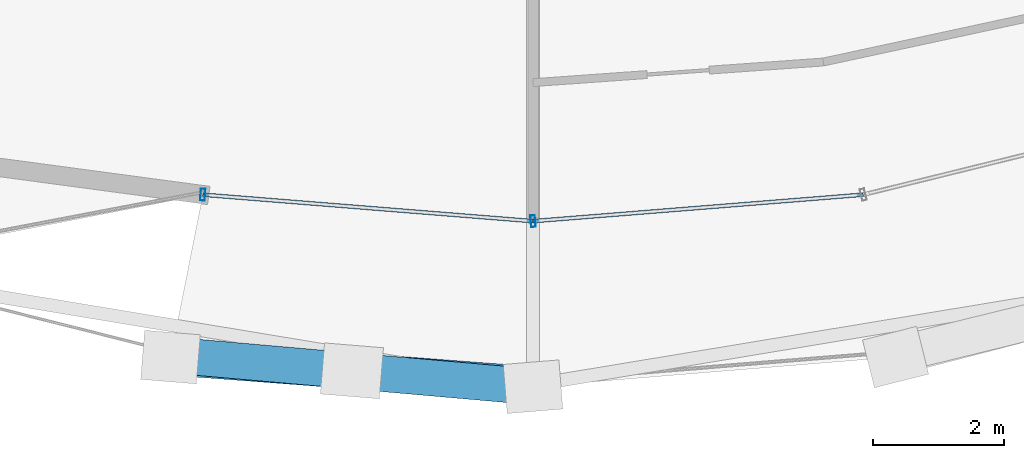
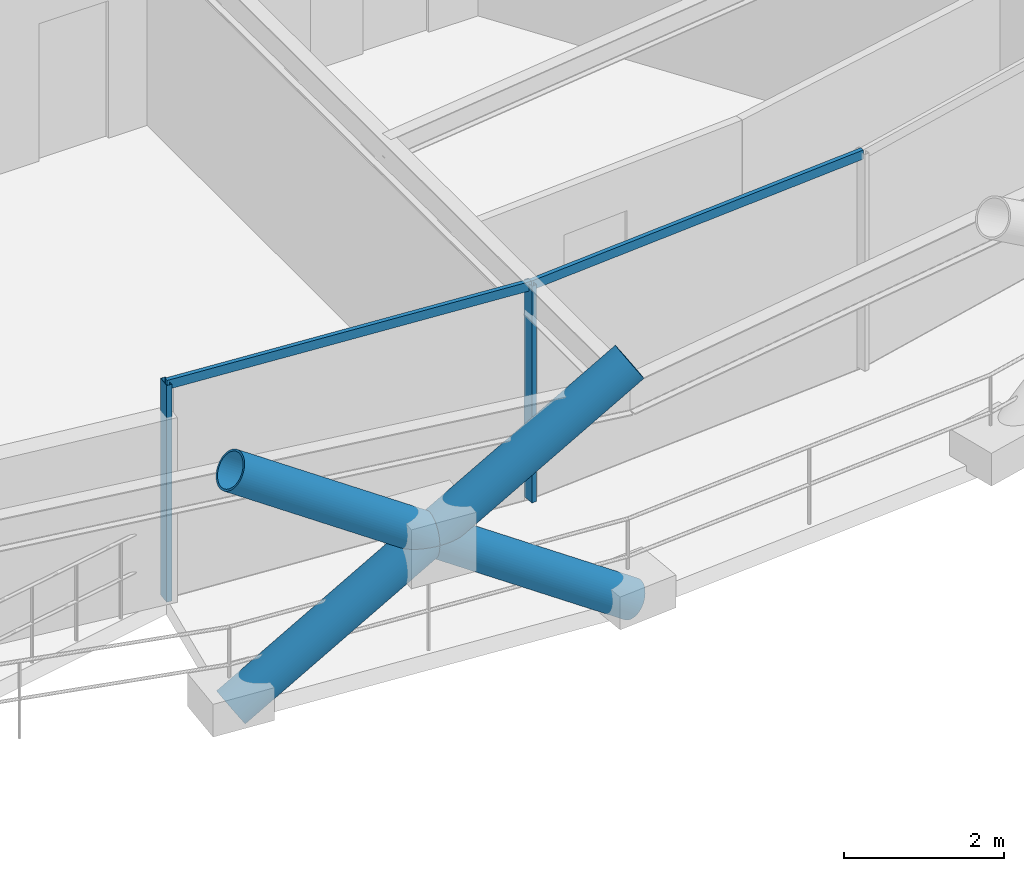
# One storey, part 2 of 20: 7 members, 1 element without a shape of its own.
"""IFC4 building model written with IfcOpenShell, lengths in metres."""

from ifc_helpers import new_model, si_unit, direction, frame, origin, origin_2d, place, context, subcontext, project, spatial, hollow_rectangle, hollow_circle, extrude, material, layer, layer_set, material_profile, profile_set, type_object, element, aggregate, save


model = new_model("IFC4")

# Units and contexts
model_context = context("Model", 3, precision=1e-05, world=origin(), true_north=direction((0.0, 1.0)))
body_context = subcontext(model_context, "Body", "Model", "MODEL_VIEW")
ifc_project = project(units=[si_unit("LENGTHUNIT", "METRE"), si_unit("AREAUNIT", "SQUARE_METRE"), si_unit("VOLUMEUNIT", "CUBIC_METRE"), si_unit("PLANEANGLEUNIT", "RADIAN"), si_unit("MASSUNIT", "GRAM", prefix="KILO")], contexts=[model_context])

# Site, building, storey
site_placement = place(None, origin())
site = spatial("IfcSite", under=ifc_project, at=site_placement, CompositionType="ELEMENT")
building_placement = place(site_placement, origin())
building = spatial("IfcBuilding", under=site, at=building_placement, Name="Veldorina Hangang Commons", CompositionType="ELEMENT")
storey_placement = place(building_placement, frame((0.0, 0.0, 153.199951171875)))
storey = spatial("IfcBuildingStorey", under=building, at=storey_placement, Name="L39", CompositionType="ELEMENT", Elevation=153.199951171875)

# Curtain wall, members
ifc_material_1 = material(Name="Glass Low-E Triple IGU", Category="glass")
ifc_layer = layer(ifc_material_1, 0.179931640625)
ifc_layer_set = layer_set([ifc_layer], Name="Glass Low-E Triple IGU")
curtain_wall_type = type_object("IfcCurtainWallType", Name="CW-SYS-Z2", PredefinedType="NOTDEFINED", material=ifc_layer_set)
curtain_wall_placement = place(storey_placement, origin())
curtain_wall = element("IfcCurtainWall", 1, at=curtain_wall_placement, inside=storey, type_object=curtain_wall_type, Name="L39 unitised curtain wall CW-L39-R1", PredefinedType="NOTDEFINED")
ifc_material_2 = material(Name="Aluminium Anodized AA6063-T6", Category="aluminium")
ifc_material_profile_1 = material_profile(ifc_material_2, hollow_rectangle(XDim=0.070068359375, YDim=0.179931640625, WallThickness=0.00390625, at=origin_2d()), Name="ALU-RHS-180x70x4")
ifc_profile_set_1 = profile_set([ifc_material_profile_1], Name="Aluminium Anodized AA6063-T6")
member_type_1 = type_object("IfcMemberType", Name="CW-MUL-180", PredefinedType="MULLION", material=ifc_profile_set_1)
member_1_placement = place(storey_placement, frame((26.974365234375, 3.4267578125, 0.0), z_axis=(0.0, 0.0, 1.0), x_axis=(0.996798444994, -0.07995536291, 0.0)))
member_1 = element("IfcMember", 2, at=member_1_placement, type_object=member_type_1, Name="CW-L39-R1 vertical mullion 1", PredefinedType="MULLION", context=body_context, shape_type="SweptSolid", body=[
    extrude(hollow_rectangle(XDim=0.070068359375, YDim=0.179931640625, WallThickness=0.00390625, at=origin_2d()), origin(), (0.0, 0.0, 1.0), 3.31005859375),
])
member_2_placement = place(storey_placement, frame((32.0, 3.023681640625, 0.0), z_axis=(0.0, 0.0, 1.0), x_axis=(0.996798444994, 0.07995536291, 0.0)))
member_2 = element("IfcMember", 3, at=member_2_placement, type_object=member_type_1, Name="CW-L39-R1 vertical mullion 2", PredefinedType="MULLION", context=body_context, shape_type="SweptSolid", body=[
    extrude(hollow_rectangle(XDim=0.070068359375, YDim=0.179931640625, WallThickness=0.00390625, at=origin_2d()), origin(), (0.0, 0.0, 1.0), 3.31005859375),
])
ifc_material_profile_2 = material_profile(ifc_material_2, hollow_rectangle(XDim=0.06005859375, YDim=0.139892578125, WallThickness=0.00341796875, at=origin_2d()), Name="ALU-RHS-140x60x3.5")
ifc_profile_set_2 = profile_set([ifc_material_profile_2], Name="Aluminium Anodized AA6063-T6")
member_type_2 = type_object("IfcMemberType", Name="CW-TRN-140", PredefinedType="USERDEFINED", material=ifc_profile_set_2)
member_3_placement = place(storey_placement, frame((26.974365234375, 3.4267578125, 3.27001953125), z_axis=(0.996799091201, -0.07994730627, 0.0), x_axis=(0.07994730627, 0.996799091201, 0.0)))
member_3 = element("IfcMember", 4, at=member_3_placement, type_object=member_type_2, Name="CW-L39-R1 facet 1 transom 1", ObjectType="TRANSOM", PredefinedType="USERDEFINED", context=body_context, shape_type="SweptSolid", body=[
    extrude(hollow_rectangle(XDim=0.06005859375, YDim=0.139892578125, WallThickness=0.00341796875, at=origin_2d()), origin(), (0.0, 0.0, 1.0), 5.041748046875),
])
member_4_placement = place(storey_placement, frame((32.0, 3.023681640625, 3.27001953125), z_axis=(0.996799091201, 0.07994730627, 0.0), x_axis=(-0.07994730627, 0.996799091201, 0.0)))
member_4 = element("IfcMember", 5, at=member_4_placement, type_object=member_type_2, Name="CW-L39-R1 facet 2 transom 1", ObjectType="TRANSOM", PredefinedType="USERDEFINED", context=body_context, shape_type="SweptSolid", body=[
    extrude(hollow_rectangle(XDim=0.06005859375, YDim=0.139892578125, WallThickness=0.00341796875, at=origin_2d()), origin(), (0.0, 0.0, 1.0), 5.041748046875),
])
aggregate(curtain_wall, [member_1, member_2, member_3, member_4])

# Members
ifc_material_3 = material(Name="Steel SM420-TMC", Category="steel")
ifc_material_profile_3 = material_profile(ifc_material_3, hollow_circle(Radius=0.27490234375, WallThickness=0.028076171875, at=origin_2d()), Name="CHS-550x28")
ifc_profile_set_3 = profile_set([ifc_material_profile_3], Name="Steel SM420-TMC")
member_type_3 = type_object("IfcMemberType", Name="DG-CHS550", PredefinedType="BRACE", material=ifc_profile_set_3)
member_5_placement = place(storey_placement, frame((26.482666015625, 0.955078125, 0.0), z_axis=(0.83579084613, -0.063537708467, 0.545359167089), x_axis=(0.075802339917, 0.997122863675, 0.0)))
element("IfcMember", 6, at=member_5_placement, inside=storey, type_object=member_type_3, Name="L39 continuous perimeter diagrid brace 23", PredefinedType="BRACE", context=body_context, shape_type="SweptSolid", body=[
    extrude(hollow_circle(Radius=0.27490234375, WallThickness=0.028076171875, at=origin_2d()), origin(), (0.0, 0.0, 1.0), 6.601318359375),
])
member_6_placement = place(storey_placement, frame((32.0, 0.503662109375, 0.0), z_axis=(-0.834827508672, 0.073130593984, 0.545632611735), x_axis=(-0.087265461192, -0.996185092883, 0.0)))
element("IfcMember", 7, at=member_6_placement, inside=storey, type_object=member_type_3, Name="L39 split perimeter diagrid lower brace 24", PredefinedType="BRACE", context=body_context, shape_type="SweptSolid", body=[
    extrude(hollow_circle(Radius=0.27490234375, WallThickness=0.028076171875, at=origin_2d()), origin(), (0.0, 0.0, 1.0), 3.3017578125),
])
member_7_placement = place(storey_placement, frame((29.24365234375, 0.7451171875, 1.801513671875), z_axis=(-0.834828315671, 0.073247445369, 0.545615702763), x_axis=(-0.087403749692, -0.996172969187, 0.0)))
element("IfcMember", 8, at=member_7_placement, inside=storey, type_object=member_type_3, Name="L39 split perimeter diagrid upper brace 24", PredefinedType="BRACE", context=body_context, shape_type="SweptSolid", body=[
    extrude(hollow_circle(Radius=0.27490234375, WallThickness=0.028076171875, at=origin_2d()), origin(), (0.0, 0.0, 1.0), 3.29638671875),
])

save(model, "model.ifc")
